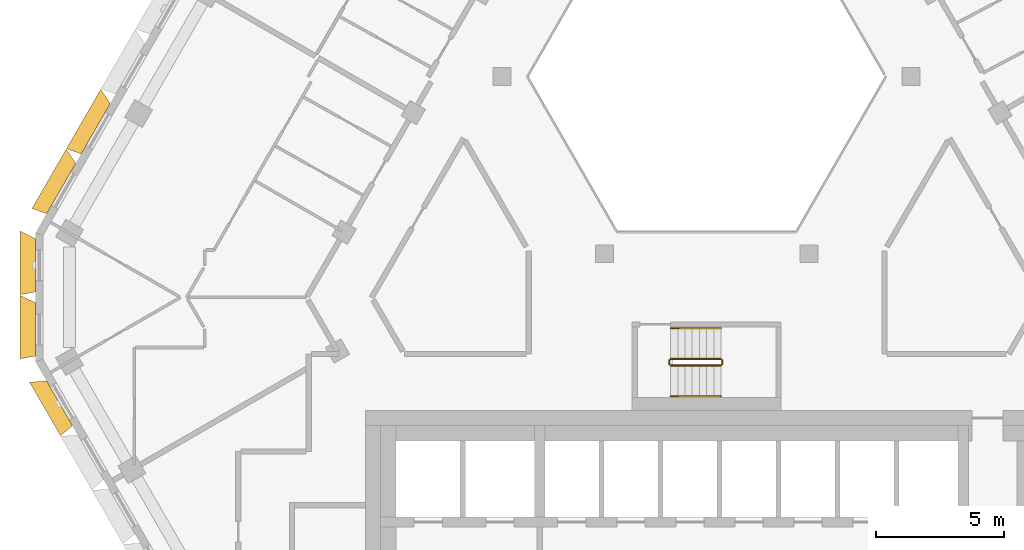
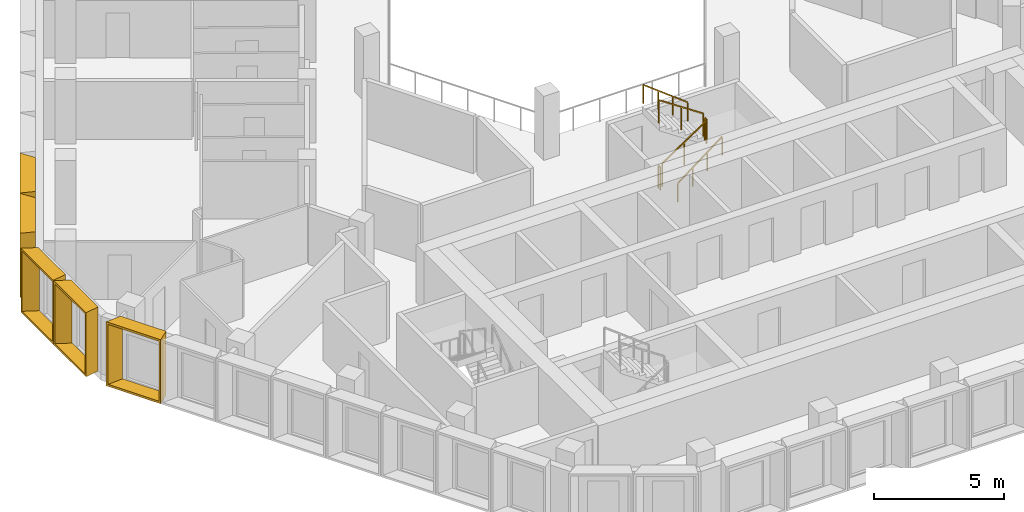
# One storey, part 15 of 18: 6 railings, 5 shading devices.
"""IFC4 building model written with IfcOpenShell, lengths in metres."""

from ifc_helpers import new_model, entity, si_unit, direction, frame, origin, origin_2d, place, context, subcontext, project, spatial, rectangle, extrude, source, transform, mapped, material, type_object, type_shapes, element, save


model = new_model("IFC4")

# Units and contexts
model_context = context("Model", 3, precision=1e-05, world=origin(), true_north=direction((0.0, 1.0)))
body_context = subcontext(model_context, "Body", "Model", "MODEL_VIEW")
ifc_project = project(units=[si_unit("LENGTHUNIT", "METRE"), si_unit("AREAUNIT", "SQUARE_METRE"), si_unit("VOLUMEUNIT", "CUBIC_METRE"), si_unit("PLANEANGLEUNIT", "RADIAN"), si_unit("MASSUNIT", "GRAM", prefix="KILO")], contexts=[model_context])

# Site, building, storey
site_placement = place(None, origin())
site = spatial("IfcSite", under=ifc_project, at=site_placement, CompositionType="ELEMENT")
building_placement = place(site_placement, origin())
building = spatial("IfcBuilding", under=site, at=building_placement, Name="Beryl Residences", CompositionType="ELEMENT")
storey_placement = place(building_placement, frame((0.0, 0.0, 184.199951171875)))
storey = spatial("IfcBuildingStorey", under=building, at=storey_placement, Name="L56", CompositionType="ELEMENT", Elevation=184.199951171875)

# Shading devices
ifc_material_1 = material(Name="Aluminium pale anodised", Category="aluminium")
shading_device_type_1 = type_object("IfcShadingDeviceType", Name="FR243-60B OUTER SKIN frame 600 mm deep, splay 26/10 deg, 2430 x 3000 mm cell", PredefinedType="USERDEFINED", material=ifc_material_1)
cartesian_point_1 = entity("IfcCartesianPoint", [-1.005615234375, 0.0])
cartesian_point_2 = entity("IfcCartesianPoint", [-0.91650390625, 0.10009765625])
cartesian_point_3 = entity("IfcCartesianPoint", [-1.298095703125, 0.0])
cartesian_point_4 = entity("IfcCartesianPoint", [-1.209228515625, 0.10009765625])
shared_shape_1 = source(origin(), body_context, "Body", "SweptSolid", [
    entity("IfcExtrudedAreaSolidTapered", entity("IfcArbitraryProfileDefWithVoids", "AREA", None, entity("IfcPolyline", [cartesian_point_1, entity("IfcCartesianPoint", [1.005615234375, 0.0]), entity("IfcCartesianPoint", [1.005615234375, 3.0]), entity("IfcCartesianPoint", [-1.005615234375, 3.0]), cartesian_point_1]), [entity("IfcPolyline", [cartesian_point_2, entity("IfcCartesianPoint", [0.92431640625, 0.10009765625]), entity("IfcCartesianPoint", [0.92431640625, 2.89990234375]), entity("IfcCartesianPoint", [-0.91650390625, 2.89990234375]), cartesian_point_2])]), entity("IfcAxis2Placement3D", entity("IfcCartesianPoint", [0.0, 0.0, 0.0]), entity("IfcDirection", [0.0, 1.0, 0.0]), entity("IfcDirection", [-1.0, 0.0, 0.0])), entity("IfcDirection", [0.0, 0.0, 1.0]), 0.60009765625, entity("IfcArbitraryProfileDefWithVoids", "AREA", None, entity("IfcPolyline", [cartesian_point_3, entity("IfcCartesianPoint", [1.111328125, 0.0]), entity("IfcCartesianPoint", [1.111328125, 3.0]), entity("IfcCartesianPoint", [-1.298095703125, 3.0]), cartesian_point_3]), [entity("IfcPolyline", [cartesian_point_4, entity("IfcCartesianPoint", [1.030029296875, 0.10009765625]), entity("IfcCartesianPoint", [1.030029296875, 2.89990234375]), entity("IfcCartesianPoint", [-1.209228515625, 2.89990234375]), cartesian_point_4])])),
])
type_shapes(shading_device_type_1, [shared_shape_1])
shading_device_placement = place(storey_placement, frame((-25.212890625, -4.72802734375, 0.0), z_axis=(0.0, 0.0, 1.0), x_axis=(-0.5, 0.866025403784, 0.0)))
element("IfcShadingDevice", 1, at=shading_device_placement, inside=storey, type_object=shading_device_type_1, Name="FR243-60B frame L56 SW 1", ObjectType="OUTER SKIN", PredefinedType="USERDEFINED", context=body_context, shape_type="MappedRepresentation", body=[
    mapped(shared_shape_1, transform((0.0, 0.0, 0.0))),
])
ifc_material_2 = material(Name="Aluminium pale anodised", Category="aluminium")
shading_device_type_2 = type_object("IfcShadingDeviceType", Name="FR250-60B OUTER SKIN frame 600 mm deep, splay 26/10 deg, 2500 x 3000 mm cell", PredefinedType="USERDEFINED", material=ifc_material_2)
cartesian_point_5 = entity("IfcCartesianPoint", [-1.04052734375, 0.0])
cartesian_point_6 = entity("IfcCartesianPoint", [-0.951416015625, 0.10009765625])
cartesian_point_7 = entity("IfcCartesianPoint", [-1.333251953125, 0.0])
cartesian_point_8 = entity("IfcCartesianPoint", [-1.244140625, 0.10009765625])
shared_shape_2 = source(origin(), body_context, "Body", "SweptSolid", [
    entity("IfcExtrudedAreaSolidTapered", entity("IfcArbitraryProfileDefWithVoids", "AREA", None, entity("IfcPolyline", [cartesian_point_5, entity("IfcCartesianPoint", [1.04052734375, 0.0]), entity("IfcCartesianPoint", [1.04052734375, 3.0]), entity("IfcCartesianPoint", [-1.04052734375, 3.0]), cartesian_point_5]), [entity("IfcPolyline", [cartesian_point_6, entity("IfcCartesianPoint", [0.959228515625, 0.10009765625]), entity("IfcCartesianPoint", [0.959228515625, 2.89990234375]), entity("IfcCartesianPoint", [-0.951416015625, 2.89990234375]), cartesian_point_6])]), entity("IfcAxis2Placement3D", entity("IfcCartesianPoint", [0.0, 0.0, 0.0]), entity("IfcDirection", [0.0, 1.0, 0.0]), entity("IfcDirection", [-1.0, 0.0, 0.0])), entity("IfcDirection", [0.0, 0.0, 1.0]), 0.60009765625, entity("IfcArbitraryProfileDefWithVoids", "AREA", None, entity("IfcPolyline", [cartesian_point_7, entity("IfcCartesianPoint", [1.146240234375, 0.0]), entity("IfcCartesianPoint", [1.146240234375, 3.0]), entity("IfcCartesianPoint", [-1.333251953125, 3.0]), cartesian_point_7]), [entity("IfcPolyline", [cartesian_point_8, entity("IfcCartesianPoint", [1.06494140625, 0.10009765625]), entity("IfcCartesianPoint", [1.06494140625, 2.89990234375]), entity("IfcCartesianPoint", [-1.244140625, 2.89990234375]), cartesian_point_8])])),
])
type_shapes(shading_device_type_2, [shared_shape_2])
for number, where, z_axis, x_axis, name in (
    (2, (-26.154052734375, 0.64990234375, 0.0), (0.0, 0.0, 1.0), (0.0, 1.0, 0.0), "FR250-60B frame L56 NW-SW 1"),
    (3, (-26.154052734375, -1.85009765625, 0.0), (0.0, 0.0, 1.0), (0.0, 1.0, 0.0), "FR250-60B frame L56 NW-SW 2"),
):
    element("IfcShadingDevice", number, at=place(storey_placement, frame(where, z_axis=z_axis, x_axis=x_axis)), inside=storey, type_object=shading_device_type_2, Name=name, ObjectType="OUTER SKIN", PredefinedType="USERDEFINED", context=body_context, shape_type="MappedRepresentation", body=[
        mapped(shared_shape_2, transform((0.0, 0.0, 0.0))),
    ])
ifc_material_3 = material(Name="Aluminium pale anodised", Category="aluminium")
shading_device_type_3 = type_object("IfcShadingDeviceType", Name="FR269-60B OUTER SKIN frame 600 mm deep, splay 26/10 deg, 2690 x 3000 mm cell", PredefinedType="USERDEFINED", material=ifc_material_3)
cartesian_point_9 = entity("IfcCartesianPoint", [-1.135498046875, 0.0])
cartesian_point_10 = entity("IfcCartesianPoint", [-1.04638671875, 0.10009765625])
cartesian_point_11 = entity("IfcCartesianPoint", [-1.42822265625, 0.0])
cartesian_point_12 = entity("IfcCartesianPoint", [-1.339111328125, 0.10009765625])
shared_shape_3 = source(origin(), body_context, "Body", "SweptSolid", [
    entity("IfcExtrudedAreaSolidTapered", entity("IfcArbitraryProfileDefWithVoids", "AREA", None, entity("IfcPolyline", [cartesian_point_9, entity("IfcCartesianPoint", [1.135498046875, 0.0]), entity("IfcCartesianPoint", [1.135498046875, 3.0]), entity("IfcCartesianPoint", [-1.135498046875, 3.0]), cartesian_point_9]), [entity("IfcPolyline", [cartesian_point_10, entity("IfcCartesianPoint", [1.05419921875, 0.10009765625]), entity("IfcCartesianPoint", [1.05419921875, 2.89990234375]), entity("IfcCartesianPoint", [-1.04638671875, 2.89990234375]), cartesian_point_10])]), entity("IfcAxis2Placement3D", entity("IfcCartesianPoint", [0.0, 0.0, 0.0]), entity("IfcDirection", [0.0, 1.0, 0.0]), entity("IfcDirection", [-1.0, 0.0, 0.0])), entity("IfcDirection", [0.0, 0.0, 1.0]), 0.60009765625, entity("IfcArbitraryProfileDefWithVoids", "AREA", None, entity("IfcPolyline", [cartesian_point_11, entity("IfcCartesianPoint", [1.2412109375, 0.0]), entity("IfcCartesianPoint", [1.2412109375, 3.0]), entity("IfcCartesianPoint", [-1.42822265625, 3.0]), cartesian_point_11]), [entity("IfcPolyline", [cartesian_point_12, entity("IfcCartesianPoint", [1.16015625, 0.10009765625]), entity("IfcCartesianPoint", [1.16015625, 2.89990234375]), entity("IfcCartesianPoint", [-1.339111328125, 2.89990234375]), cartesian_point_12])])),
])
type_shapes(shading_device_type_3, [shared_shape_3])
for number, where, z_axis, x_axis, name in (
    (4, (-23.802978515625, 5.971923828125, 0.0), (0.0, 0.0, 1.0), (0.5, 0.866025403784, 0.0), "FR269-60B frame L56 NW 7"),
    (5, (-25.14892578125, 3.639892578125, 0.0), (0.0, 0.0, 1.0), (0.5, 0.866025403784, 0.0), "FR269-60B frame L56 NW 8"),
):
    element("IfcShadingDevice", number, at=place(storey_placement, frame(where, z_axis=z_axis, x_axis=x_axis)), inside=storey, type_object=shading_device_type_3, Name=name, ObjectType="OUTER SKIN", PredefinedType="USERDEFINED", context=body_context, shape_type="MappedRepresentation", body=[
        mapped(shared_shape_3, transform((0.0, 0.0, 0.0))),
    ])

# Railings
ifc_material_4 = material(Name="Stainless steel balustrade with glass infill", Category="steel")
railing_type_1 = type_object("IfcRailingType", Name="SG1 stair guard 1100 mm", PredefinedType="GUARDRAIL", material=ifc_material_4)
railing_1_placement = place(storey_placement, frame((-1.39990234375, -3.25, 0.1875)))
element("IfcRailing", 6, at=railing_1_placement, inside=storey, type_object=railing_type_1, Name="L56 ST-4 stair guard 1", PredefinedType="GUARDRAIL", context=body_context, shape_type="SweptSolid", body=[
    extrude(rectangle(XDim=0.048095703125, YDim=0.048095703125, at=origin_2d()), frame((0.0, 0.0, 1.076171875), z_axis=(0.830902050051, 0.0, 0.556418712142), x_axis=(0.0, 1.0, 0.0)), (0.0, 0.0, 1.0), 2.35888671875),
    extrude(rectangle(XDim=0.0419921875, YDim=0.0419921875, at=origin_2d()), origin(), (0.0, 0.0, 1.0), 1.052001953125),
    extrude(rectangle(XDim=0.0419921875, YDim=0.0419921875, at=origin_2d()), frame((0.97998046875, 0.0, 0.65625)), (0.0, 0.0, 1.0), 1.052001953125),
    extrude(rectangle(XDim=0.0419921875, YDim=0.0419921875, at=origin_2d()), frame((1.9599609375, 0.0, 1.3125)), (0.0, 0.0, 1.0), 1.052001953125),
])
railing_2_placement = place(storey_placement, frame((0.610107421875, -3.199951171875, 1.5)))
element("IfcRailing", 7, at=railing_2_placement, inside=storey, type_object=railing_type_1, Name="L56 ST-4 stair guard 2", PredefinedType="GUARDRAIL", context=body_context, shape_type="SweptSolid", body=[
    extrude(rectangle(XDim=0.048095703125, YDim=0.048095703125, at=origin_2d()), frame((0.0, 0.0, 1.076171875), z_axis=(0.0, 1.0, 0.0), x_axis=(-1.0, 0.0, 0.0)), (0.0, 0.0, 1.0), 0.14990234375),
    extrude(rectangle(XDim=0.0419921875, YDim=0.0419921875, at=origin_2d()), origin(), (0.0, 0.0, 1.0), 1.052001953125),
    extrude(rectangle(XDim=0.0419921875, YDim=0.0419921875, at=origin_2d()), frame((0.0, 0.14990234375, 0.0)), (0.0, 0.0, 1.0), 1.052001953125),
])
railing_3_placement = place(storey_placement, frame((0.56005859375, -3.0, 1.6875)))
element("IfcRailing", 8, at=railing_3_placement, inside=storey, type_object=railing_type_1, Name="L56 ST-4 stair guard 3", PredefinedType="GUARDRAIL", context=body_context, shape_type="SweptSolid", body=[
    extrude(rectangle(XDim=0.048095703125, YDim=0.048095703125, at=origin_2d()), frame((0.0, 0.0, 1.076171875), z_axis=(-0.830902050051, 0.0, 0.556418712142), x_axis=(0.0, -1.0, 0.0)), (0.0, 0.0, 1.0), 2.35888671875),
    extrude(rectangle(XDim=0.0419921875, YDim=0.0419921875, at=origin_2d()), origin(), (0.0, 0.0, 1.0), 1.052001953125),
    extrude(rectangle(XDim=0.0419921875, YDim=0.0419921875, at=origin_2d()), frame((-0.97998046875, 0.0, 0.65625)), (0.0, 0.0, 1.0), 1.052001953125),
    extrude(rectangle(XDim=0.0419921875, YDim=0.0419921875, at=origin_2d()), frame((-1.9599609375, 0.0, 1.3125)), (0.0, 0.0, 1.0), 1.052001953125),
])
railing_4_placement = place(storey_placement, frame((-1.449951171875, -3.199951171875, 0.0)))
element("IfcRailing", 9, at=railing_4_placement, inside=storey, type_object=railing_type_1, Name="L56 ST-4 stair guard 4", PredefinedType="GUARDRAIL", context=body_context, shape_type="SweptSolid", body=[
    extrude(rectangle(XDim=0.048095703125, YDim=0.048095703125, at=origin_2d()), frame((0.0, 0.0, 1.076171875), z_axis=(0.0, 1.0, 0.0), x_axis=(-1.0, 0.0, 0.0)), (0.0, 0.0, 1.0), 0.14990234375),
    extrude(rectangle(XDim=0.0419921875, YDim=0.0419921875, at=origin_2d()), origin(), (0.0, 0.0, 1.0), 1.052001953125),
    extrude(rectangle(XDim=0.0419921875, YDim=0.0419921875, at=origin_2d()), frame((0.0, 0.14990234375, 0.0)), (0.0, 0.0, 1.0), 1.052001953125),
])
ifc_material_5 = material(Name="Stainless steel handrail", Category="steel")
railing_type_2 = type_object("IfcRailingType", Name="SRL1 stair handrail 900 mm", PredefinedType="HANDRAIL", material=ifc_material_5)
railing_5_placement = place(storey_placement, frame((-1.39990234375, -4.449951171875, 0.1875)))
element("IfcRailing", 10, at=railing_5_placement, inside=storey, type_object=railing_type_2, Name="L56 ST-4 stair handrail 1", PredefinedType="HANDRAIL", context=body_context, shape_type="SweptSolid", body=[
    extrude(rectangle(XDim=0.048095703125, YDim=0.048095703125, at=origin_2d()), frame((0.0, 0.0, 0.8759765625), z_axis=(0.794121922505, 0.0, 0.607758481798), x_axis=(0.0, 1.0, 0.0)), (0.0, 0.0, 1.0), 2.468017578125),
    extrude(rectangle(XDim=0.0419921875, YDim=0.0419921875, at=origin_2d()), origin(), (0.0, 0.0, 1.0), 0.851806640625),
    extrude(rectangle(XDim=0.0419921875, YDim=0.0419921875, at=origin_2d()), frame((0.6533203125, 0.0, 0.5)), (0.0, 0.0, 1.0), 0.851806640625),
    extrude(rectangle(XDim=0.0419921875, YDim=0.0419921875, at=origin_2d()), frame((1.306640625, 0.0, 1.0)), (0.0, 0.0, 1.0), 0.851806640625),
    extrude(rectangle(XDim=0.0419921875, YDim=0.0419921875, at=origin_2d()), frame((1.9599609375, 0.0, 1.5)), (0.0, 0.0, 1.0), 0.851806640625),
])
railing_6_placement = place(storey_placement, frame((0.56005859375, -1.800048828125, 1.6875)))
element("IfcRailing", 11, at=railing_6_placement, inside=storey, type_object=railing_type_2, Name="L56 ST-4 stair handrail 2", PredefinedType="HANDRAIL", context=body_context, shape_type="SweptSolid", body=[
    extrude(rectangle(XDim=0.048095703125, YDim=0.048095703125, at=origin_2d()), frame((0.0, 0.0, 0.8759765625), z_axis=(-0.794121922505, 0.0, 0.607758481798), x_axis=(0.0, -1.0, 0.0)), (0.0, 0.0, 1.0), 2.468017578125),
    extrude(rectangle(XDim=0.0419921875, YDim=0.0419921875, at=origin_2d()), origin(), (0.0, 0.0, 1.0), 0.851806640625),
    extrude(rectangle(XDim=0.0419921875, YDim=0.0419921875, at=origin_2d()), frame((-0.6533203125, 0.0, 0.5)), (0.0, 0.0, 1.0), 0.851806640625),
    extrude(rectangle(XDim=0.0419921875, YDim=0.0419921875, at=origin_2d()), frame((-1.306640625, 0.0, 1.0)), (0.0, 0.0, 1.0), 0.851806640625),
    extrude(rectangle(XDim=0.0419921875, YDim=0.0419921875, at=origin_2d()), frame((-1.9599609375, 0.0, 1.5)), (0.0, 0.0, 1.0), 0.851806640625),
])

save(model, "model.ifc")
